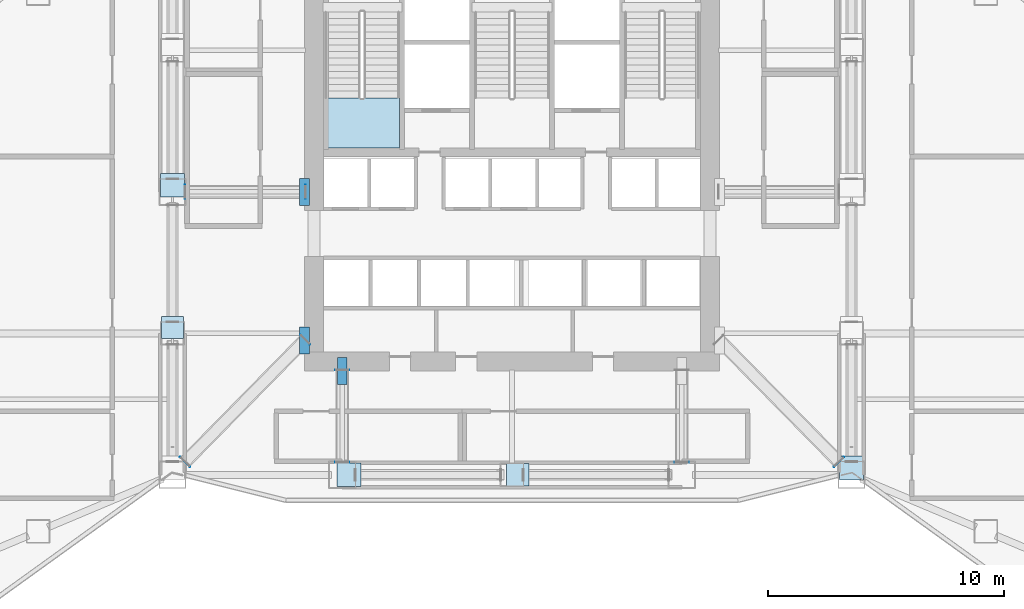
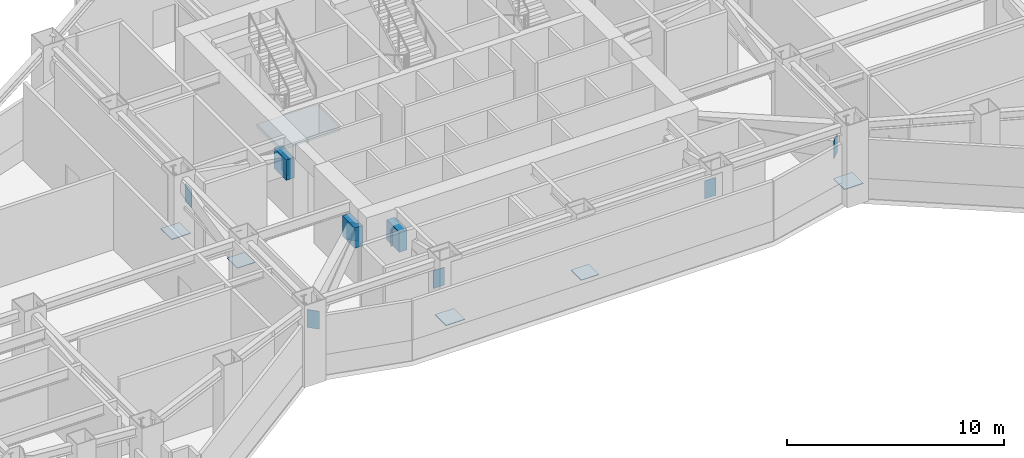
# One storey, part 3 of 23: 16 plates, 1 slab, 1 element without a shape of its own.
"""IFC4 building model written with IfcOpenShell, lengths in metres."""

import ifcopenshell
import ifcopenshell.guid

model = None  # the IFC model being written
_history = None  # IfcOwnerHistory: only IFC2X3 demands one
_inside = {}  # id of a spatial element -> (the spatial element, [elements in it])
_under = {}  # id of a project, library or spatial element -> (it, [spatial elements below it])
_declared = {}  # id of a project -> (the project, [libraries it declares])
_typed = {}  # id of a type object -> (the type object, [elements of that type])
_made_of = {}  # id of a material, layer set ... -> (it, [elements and type objects made of it])


def new_model(schema):
    """Start an empty IFC model of exactly this schema.

    Asked for "IFC4X3", IfcOpenShell would pick the latest addendum, in which some entities
    have other attributes; the version numbers below select the first issue.
    IFC2X3 requires an IfcOwnerHistory on every rooted entity: one is made here for all.
    """
    global model, _history
    if schema == "IFC4X3":
        model = ifcopenshell.file(schema_version=(4, 3, 0, 0))
    else:
        model = ifcopenshell.file(schema=schema)
    _inside.clear()
    _under.clear()
    _declared.clear()
    _typed.clear()
    _made_of.clear()
    _history = None
    if model.schema == "IFC2X3":
        org = make("IfcOrganization", Name="unknown")
        user = make(
            "IfcPersonAndOrganization",
            ThePerson=make("IfcPerson", FamilyName="unknown"),
            TheOrganization=org,
        )
        app = make(
            "IfcApplication",
            ApplicationDeveloper=org,
            Version="unknown",
            ApplicationFullName="unknown",
            ApplicationIdentifier="unknown",
        )
        _history = make(
            "IfcOwnerHistory",
            OwningUser=user,
            OwningApplication=app,
            ChangeAction="ADDED",
            CreationDate=0,
        )
    return model


def make(cls, **values):
    """One entity of the class cls with the attributes given. An attribute that is None is left unset."""
    return model.create_entity(
        cls, **{name: value for name, value in values.items() if value is not None}
    )


def rooted(cls, **values):
    """An entity with a GlobalId (a new one), such as an element, a storey or a relation."""
    return make(cls, GlobalId=ifcopenshell.guid.new(), OwnerHistory=_history, **values)


def si_unit(unit_type, name, prefix=None):
    """IfcSIUnit, for example si_unit("LENGTHUNIT", "METRE", prefix="MILLI")."""
    return make("IfcSIUnit", UnitType=unit_type, Prefix=prefix, Name=name)


def assignment(units):
    """IfcUnitAssignment: the units of a project."""
    return None if units is None else make("IfcUnitAssignment", Units=units)


def point(xyz):
    """IfcCartesianPoint."""
    return None if xyz is None else make("IfcCartesianPoint", Coordinates=xyz)


def direction(xyz):
    """IfcDirection."""
    return None if xyz is None else make("IfcDirection", DirectionRatios=xyz)


def frame(location, z_axis=None, x_axis=None):
    """IfcAxis2Placement3D, a coordinate frame: its origin and axes. An axis left out is left unset."""
    return make(
        "IfcAxis2Placement3D",
        Location=point(location),
        Axis=direction(z_axis),
        RefDirection=direction(x_axis),
    )


def frame_2d(location, x_axis=None):
    """IfcAxis2Placement2D, a coordinate frame in the plane: its origin and x axis."""
    return make(
        "IfcAxis2Placement2D", Location=point(location), RefDirection=direction(x_axis)
    )


def origin():
    """The frame at (0, 0, 0) with its axes left unset."""
    return frame((0.0, 0.0, 0.0))


def origin_2d():
    """The frame at (0, 0) in the plane with its x axis left unset."""
    return frame_2d((0.0, 0.0))


def place(relative_to, where):
    """IfcLocalPlacement: puts the frame where relative to a parent placement (None: the world)."""
    return make(
        "IfcLocalPlacement", PlacementRelTo=relative_to, RelativePlacement=where
    )


def context(
    kind, dimensions, precision=None, world=None, true_north=None, identifier=None
):
    """IfcGeometricRepresentationContext, for example the 3D "Model" context."""
    return make(
        "IfcGeometricRepresentationContext",
        ContextIdentifier=identifier,
        ContextType=kind,
        CoordinateSpaceDimension=dimensions,
        Precision=precision,
        WorldCoordinateSystem=world,
        TrueNorth=true_north,
    )


def subcontext(parent, identifier, kind, view, scale=None):
    """IfcGeometricRepresentationSubContext, for example "Body" below "Model"."""
    return make(
        "IfcGeometricRepresentationSubContext",
        ContextIdentifier=identifier,
        ContextType=kind,
        ParentContext=parent,
        TargetScale=scale,
        TargetView=view,
    )


def project(units=None, contexts=None):
    """IfcProject with its units and contexts."""
    return rooted(
        "IfcProject",
        Name="project",
        RepresentationContexts=contexts,
        UnitsInContext=assignment(units),
    )


def spatial(cls, under=None, at=None, **own):
    """A site, building, storey or space (cls), placed at a placement, below another one or the project."""
    s = rooted(cls, ObjectPlacement=at, **own)
    if under is not None:
        _under.setdefault(under.id(), (under, []))[1].append(s)
    return s


def polyline(points):
    """IfcPolyline through the points."""
    return make("IfcPolyline", Points=[point(p) for p in points])


def profile(cls, at=None, kind="AREA", **sizes):
    """A parametric profile (cls). Its sizes go by their IFC names, for example OverallWidth=200.0."""
    return make(cls, ProfileType=kind, Position=at, **sizes)


def rectangle(**sizes):
    """IfcRectangleProfileDef."""
    return profile("IfcRectangleProfileDef", **sizes)


def outline(outer, holes=None, kind="AREA"):
    """IfcArbitraryClosedProfileDef: a profile drawn as a closed curve; with holes, ...WithVoids."""
    if holes is None:
        return make("IfcArbitraryClosedProfileDef", ProfileType=kind, OuterCurve=outer)
    return make(
        "IfcArbitraryProfileDefWithVoids",
        ProfileType=kind,
        OuterCurve=outer,
        InnerCurves=holes,
    )


def extrude(swept, where, along, depth):
    """IfcExtrudedAreaSolid: the profile swept, set in the frame where, extruded along a direction by depth."""
    return make(
        "IfcExtrudedAreaSolid",
        SweptArea=swept,
        Position=where,
        ExtrudedDirection=direction(along),
        Depth=depth,
    )


def shape(context_of_items, identifier, shape_type, items):
    """IfcShapeRepresentation: the items that make up one representation, for example the "Body"."""
    return make(
        "IfcShapeRepresentation",
        ContextOfItems=context_of_items,
        RepresentationIdentifier=identifier,
        RepresentationType=shape_type,
        Items=items,
    )


def material(Name=None, Category=None):
    """IfcMaterial."""
    return make("IfcMaterial", Name=Name, Category=Category)


def layer(
    of_material, thickness, ventilated=None, Name=None, Category=None, Priority=None
):
    """IfcMaterialLayer: one layer of a wall or slab, of a material (None: an air gap)."""
    return make(
        "IfcMaterialLayer",
        Material=of_material,
        LayerThickness=thickness,
        IsVentilated=ventilated,
        Name=Name,
        Category=Category,
        Priority=Priority,
    )


def layer_set(layers, Name=None):
    """IfcMaterialLayerSet."""
    return make("IfcMaterialLayerSet", MaterialLayers=layers, LayerSetName=Name)


def made_of(thing, what):
    """Note that an element or type object is made of a material, layer set ...; save() writes the relation."""
    if what is not None:
        _made_of.setdefault(what.id(), (what, []))[1].append(thing)
    return thing


def type_object(cls, material=None, **own):
    """A type object (cls), such as IfcWallType, which elements share."""
    return made_of(rooted(cls, **own), material)


def element(
    cls,
    number,
    at=None,
    inside=None,
    cuts=None,
    type_object=None,
    material=None,
    context=None,
    identifier="Body",
    shape_type=None,
    held_by="IfcProductDefinitionShape",
    body=None,
    shapes=None,
    **own,
):
    """One element of the class cls, such as IfcWall. Its Tag is "e" and its number.

    at: its placement. inside: the storey or other place that contains it. cuts: it is an
    opening in that element (IfcRelVoidsElement). A single representation is given by context,
    identifier, shape_type and body (its items); several are given by shapes. held_by: the class
    of the entity that holds the representations. save() writes the other relations.
    """
    e = rooted(cls, Tag="e%d" % number, ObjectPlacement=at, **own)
    if body is not None:
        shapes = [shape(context, identifier, shape_type, body)]
    if shapes is not None:
        e.Representation = make(held_by, Representations=shapes)
    if inside is not None:
        _inside.setdefault(inside.id(), (inside, []))[1].append(e)
    if cuts is not None:
        rooted(
            "IfcRelVoidsElement", RelatingBuildingElement=cuts, RelatedOpeningElement=e
        )
    if type_object is not None:
        _typed.setdefault(type_object.id(), (type_object, []))[1].append(e)
    return made_of(e, material)


def aggregate(whole, parts):
    """IfcRelAggregates: a whole, such as a stair, and the parts it consists of."""
    return rooted("IfcRelAggregates", RelatingObject=whole, RelatedObjects=parts)


def save(model, path):
    """Write the relations noted so far, then the file.

    IfcRelAggregates (storeys below a building ...), IfcRelContainedInSpatialStructure (elements
    in a storey), IfcRelDefinesByType, IfcRelAssociatesMaterial and IfcRelDeclares: one each for
    every whole, place, type object, material and project.
    """
    for whole, parts in _under.values():
        aggregate(whole, parts)
    for where, things in _inside.values():
        rooted(
            "IfcRelContainedInSpatialStructure",
            RelatedElements=things,
            RelatingStructure=where,
        )
    for kind, things in _typed.values():
        rooted("IfcRelDefinesByType", RelatedObjects=things, RelatingType=kind)
    for what, things in _made_of.values():
        rooted("IfcRelAssociatesMaterial", RelatedObjects=things, RelatingMaterial=what)
    for by, libraries in _declared.values():
        rooted("IfcRelDeclares", RelatingContext=by, RelatedDefinitions=libraries)
    model.write(path)


model = new_model("IFC4")

# Units and contexts
model_context = context("Model", 3, precision=1e-05, world=origin(), true_north=direction((0.0, 1.0)))
body_context = subcontext(model_context, "Body", "Model", "MODEL_VIEW")
ifc_project = project(units=[si_unit("LENGTHUNIT", "METRE"), si_unit("AREAUNIT", "SQUARE_METRE"), si_unit("VOLUMEUNIT", "CUBIC_METRE"), si_unit("PLANEANGLEUNIT", "RADIAN"), si_unit("MASSUNIT", "GRAM", prefix="KILO")], contexts=[model_context])

# Site, building, storey
site_placement = place(None, origin())
site = spatial("IfcSite", under=ifc_project, at=site_placement, CompositionType="ELEMENT")
building_placement = place(site_placement, origin())
building = spatial("IfcBuilding", under=site, at=building_placement, Name="Haolan Belvedere Tower", CompositionType="ELEMENT")
storey_placement = place(building_placement, frame((0.0, 0.0, 89.39990234375)))
storey = spatial("IfcBuildingStorey", under=building, at=storey_placement, Name="L22", CompositionType="ELEMENT", Elevation=89.39990234375)

# Plates
ifc_material_1 = material(Name="Steel Q355B", Category="steel")
ifc_layer_1 = layer(ifc_material_1, 0.02490234375, Name="Steel Q355B")
ifc_layer_set_1 = layer_set([ifc_layer_1], Name="Steel Q355B")
plate_type_1 = type_object("IfcPlateType", Name="PL-CAP-25", PredefinedType="SHEET", material=ifc_layer_set_1)
for number, where, z_axis, x_axis, name in (
    (1, (29.642578125, 33.60009765625, 2.27490234375), (0.0, 0.0, 1.0), (0.0, 1.0, 0.0), "Hollow steel end-cap plate OR-W1-L22-BC-CAP0"),
    (2, (24.532470703125, 33.60009765625, 2.27490234375), (0.0, 0.0, 1.0), (0.0, -1.0, 0.0), "Hollow steel end-cap plate OR-W1-L22-BC-CAP1"),
    (3, (29.629638671875, 27.330322265625, 2.27490234375), (0.0, 0.0, 1.0), (-0.713336076052, 0.700822119088, 0.0), "Hollow steel end-cap plate OR-W2-L22-BC-CAP0"),
    (4, (24.53515625, 22.144775390625, 2.27490234375), (0.0, 0.0, 1.0), (0.713336076052, -0.700822119088, 0.0), "Hollow steel end-cap plate OR-W2-L22-BC-CAP1"),
    (5, (52.264892578125, 22.144775390625, 2.27490234375), (0.0, 0.0, 1.0), (0.713336076052, 0.700822119088, 0.0), "Hollow steel end-cap plate OR-E2-L22-BC-CAP1"),
    (6, (31.199951171875, 26.04248046875, 2.27490234375), (0.0, 0.0, 1.0), (-1.0, 0.0, 0.0), "Hollow steel end-cap plate OR-S1-L22-BC-CAP0"),
    (7, (31.199951171875, 22.132568359375, 2.27490234375), (0.0, 0.0, 1.0), (1.0, 0.0, 0.0), "Hollow steel end-cap plate OR-S1-L22-BC-CAP1"),
    (8, (45.60009765625, 22.132568359375, 2.27490234375), (0.0, 0.0, 1.0), (1.0, 0.0, 0.0), "Hollow steel end-cap plate OR-S2-L22-BC-CAP1"),
):
    element("IfcPlate", number, at=place(storey_placement, frame(where, z_axis=z_axis, x_axis=x_axis)), inside=storey, type_object=plate_type_1, Name=name, PredefinedType="SHEET", context=body_context, shape_type="SweptSolid", body=[
        extrude(rectangle(XDim=0.590087890625, YDim=0.02490234375, at=origin_2d()), origin(), (0.0, 0.0, 1.0), 1.010009765625),
    ])
ifc_material_2 = material(Name="Steel Q420GJC", Category="steel")
ifc_layer_2 = layer(ifc_material_2, 0.0400390625, Name="Steel Q420GJC")
ifc_layer_set_2 = layer_set([ifc_layer_2], Name="Steel Q420GJC")
plate_type_2 = type_object("IfcPlateType", Name="PL-NODE-NP02", PredefinedType="USERDEFINED", material=ifc_layer_set_2)
for number, where, z_axis, x_axis, name in (
    (9, (29.60009765625, 33.60009765625, 2.275146484375), (0.0, 0.0, 1.0), (1.0, 0.0, 0.0), "NP-02 outrigger truss core-wall cast-in node plate L22 OR-W1"),
    (10, (29.60009765625, 27.300048828125, 2.275146484375), (0.0, 0.0, 1.0), (1.0, 0.0, 0.0), "NP-02 outrigger truss core-wall cast-in node plate L22 OR-W2"),
    (11, (31.199951171875, 26.0, 2.275146484375), (0.0, 0.0, 1.0), (1.0, 0.0, 0.0), "NP-02 outrigger truss core-wall cast-in node plate L22 OR-S1"),
):
    element("IfcPlate", number, at=place(storey_placement, frame(where, z_axis=z_axis, x_axis=x_axis)), inside=storey, type_object=plate_type_2, Name=name, ObjectType="GUSSET", PredefinedType="USERDEFINED", context=body_context, shape_type="SweptSolid", body=[
        extrude(rectangle(XDim=0.419921875, YDim=1.14990234375, at=origin_2d()), origin(), (0.0, 0.0, 1.0), 1.14990234375),
    ])
ifc_material_3 = material(Name="Steel Q390GJC", Category="steel")
ifc_layer_3 = layer(ifc_material_3, 0.035888671875, Name="Steel Q390GJC")
ifc_layer_set_3 = layer_set([ifc_layer_3], Name="Steel Q390GJC")
plate_type_3 = type_object("IfcPlateType", Name="PL-NODE-NP03", PredefinedType="USERDEFINED", material=ifc_layer_set_3)
plate_1_placement = place(storey_placement, frame((24.0, 27.844970703125, 2.80224609375), z_axis=(0.0, 0.0, 1.0), x_axis=(1.0, 0.0, 0.0)))
element("IfcPlate", 12, at=plate_1_placement, inside=storey, type_object=plate_type_3, Name="NP-03 belt truss node plate L22 BT-W2", ObjectType="GUSSET", PredefinedType="USERDEFINED", context=body_context, shape_type="SweptSolid", body=[
    extrude(rectangle(XDim=0.93994140625, YDim=0.93994140625, at=origin_2d()), origin(), (0.0, 0.0, 1.0), 0.035888671875),
])
for number, where, z_axis, x_axis, name in (
    (13, (24.0, 33.882568359375, 0.7822265625), (0.0, 0.0, 1.0), (1.0, 0.0, 0.0), "NP-03 belt truss node plate L22 BT-W3"),
    (14, (52.800048828125, 21.882568359375, 0.7822265625), (0.0, 0.0, 1.0), (1.0, 0.0, 0.0), "NP-03 belt truss node plate L22 BT-E1"),
    (15, (31.482421875, 21.60009765625, 0.7822265625), (0.0, 0.0, 1.0), (1.0, 0.0, 0.0), "NP-03 belt truss node plate L22 BT-S1"),
):
    element("IfcPlate", number, at=place(storey_placement, frame(where, z_axis=z_axis, x_axis=x_axis)), inside=storey, type_object=plate_type_3, Name=name, ObjectType="GUSSET", PredefinedType="USERDEFINED", context=body_context, shape_type="SweptSolid", body=[
        extrude(rectangle(XDim=1.010009765625, YDim=1.010009765625, at=origin_2d()), origin(), (0.0, 0.0, 1.0), 0.035888671875),
    ])
plate_2_placement = place(storey_placement, frame((38.64501953125, 21.60009765625, 0.7822265625), z_axis=(0.0, 0.0, 1.0), x_axis=(1.0, 0.0, 0.0)))
element("IfcPlate", 16, at=plate_2_placement, inside=storey, type_object=plate_type_3, Name="NP-03 belt truss node plate L22 BT-S2", ObjectType="GUSSET", PredefinedType="USERDEFINED", context=body_context, shape_type="SweptSolid", body=[
    extrude(rectangle(XDim=0.93994140625, YDim=0.93994140625, at=origin_2d()), origin(), (0.0, 0.0, 1.0), 0.035888671875),
])

# Stair, slab
ifc_material_4 = material(Name="Concrete C40/50", Category="concrete")
stair_type = type_object("IfcStairType", Name="STR-DL-28R-164", PredefinedType="HALF_TURN_STAIR", material=ifc_material_4)
stair_placement = place(storey_placement, origin())
stair = element("IfcStair", 17, at=stair_placement, inside=storey, type_object=stair_type, Name="L22 Smokeproof Core Exit Stair ST1", PredefinedType="HALF_TURN_STAIR")
ifc_layer_4 = layer(ifc_material_4, 0.199951171875, Name="Concrete C40/50")
ifc_layer_set_4 = layer_set([ifc_layer_4], Name="Concrete C40/50")
slab_type = type_object("IfcSlabType", Name="SL-LAND-200", PredefinedType="LANDING", material=ifc_layer_set_4)
slab_placement = place(storey_placement, frame((0.0, 0.0, 2.10009765625)))
slab = element("IfcSlab", 18, at=slab_placement, type_object=slab_type, Name="ST1 landing 1", PredefinedType="LANDING", context=body_context, shape_type="SweptSolid", body=[
    extrude(outline(polyline([(30.449951171875, 37.590087890625), (30.449951171875, 35.449951171875), (33.6298828125, 35.449951171875), (33.6298828125, 37.590087890625), (30.449951171875, 37.590087890625)])), origin(), (0.0, 0.0, 1.0), 0.199951171875),
])
aggregate(stair, [slab])

save(model, "model.ifc")
